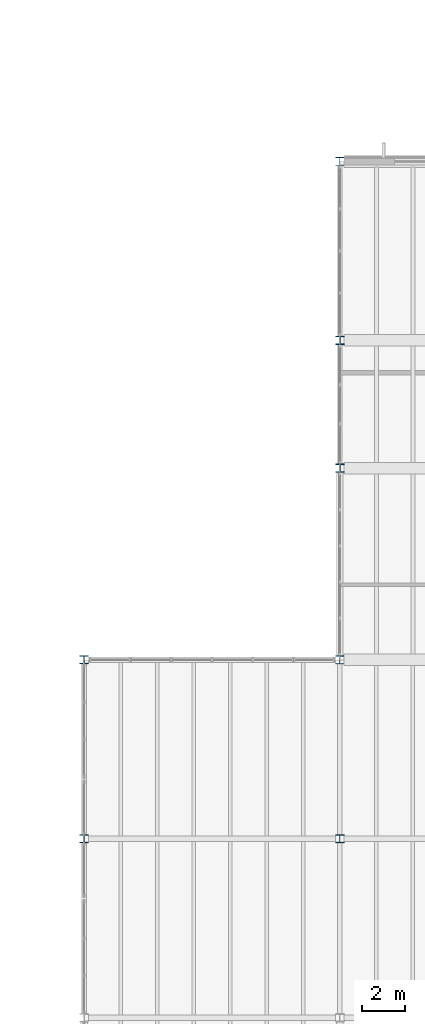
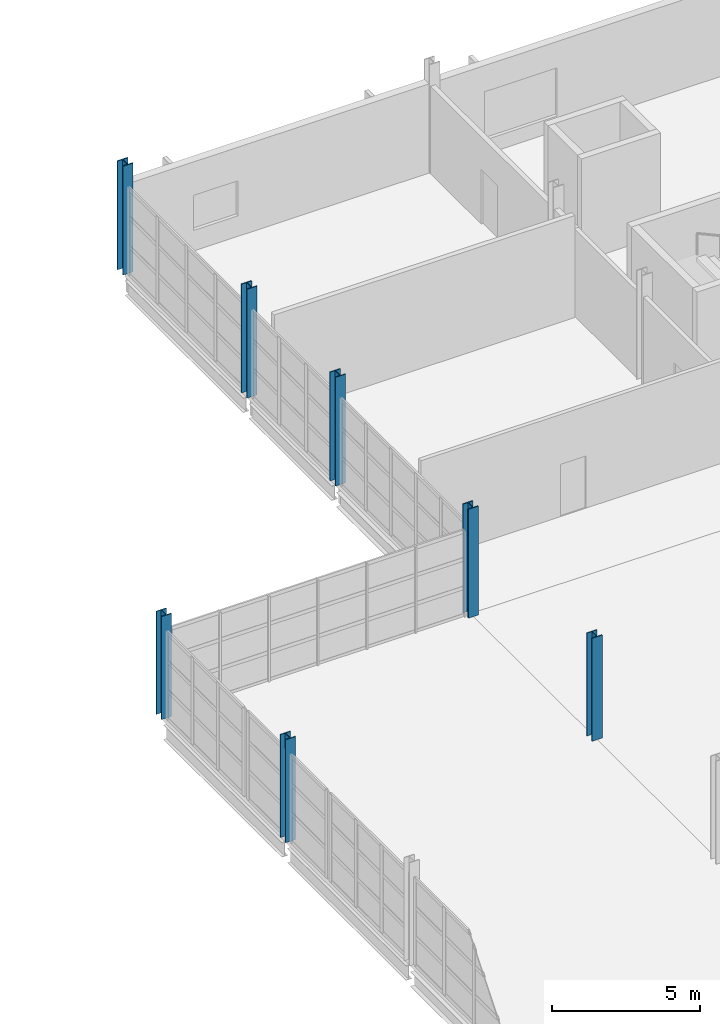
# One storey, part 8 of 114: 7 columns.
"""IFC4 building model written with IfcOpenShell, lengths in metres."""

from ifc_helpers import new_model, si_unit, direction, frame, origin, origin_2d, place, context, subcontext, project, spatial, i_section, extrude, material, material_profile, profile_set, type_object, element, save


model = new_model("IFC4")

# Units and contexts
model_context = context("Model", 3, precision=1e-05, world=origin(), true_north=direction((0.0, 1.0)))
body_context = subcontext(model_context, "Body", "Model", "MODEL_VIEW")
ifc_project = project(units=[si_unit("LENGTHUNIT", "METRE"), si_unit("AREAUNIT", "SQUARE_METRE"), si_unit("VOLUMEUNIT", "CUBIC_METRE"), si_unit("PLANEANGLEUNIT", "RADIAN"), si_unit("MASSUNIT", "GRAM", prefix="KILO")], contexts=[model_context])

# Site, building, storey
site_placement = place(None, origin())
site = spatial("IfcSite", under=ifc_project, at=site_placement, CompositionType="ELEMENT")
building_placement = place(site_placement, origin())
building = spatial("IfcBuilding", under=site, at=building_placement, Name="Kelmvaro Bay Concert Hall", CompositionType="ELEMENT")
storey_placement = place(building_placement, frame((0.0, 0.0, 4.800048828125)))
storey = spatial("IfcBuildingStorey", under=building, at=storey_placement, Name="L01", CompositionType="ELEMENT", Elevation=4.800048828125)

# Columns
ifc_material_1 = material(Name="Steel ASTM A992 Grade 50", Category="steel")
ifc_material_profile_1 = material_profile(ifc_material_1, i_section(OverallWidth=0.40087890625, OverallDepth=0.39892578125, WebThickness=0.02490234375, FlangeThickness=0.03955078125, at=origin_2d()), Name="W14X211")
ifc_profile_set_1 = profile_set([ifc_material_profile_1], Name="Steel ASTM A992 Grade 50")
column_type_1 = type_object("IfcColumnType", Name="Bridge Anchor Column W14x211", PredefinedType="COLUMN", material=ifc_profile_set_1)
for number, where, z_axis, x_axis, name in (
    (1, (120.0, 73.800048828125, 0.0), (0.0, 0.0, 1.0), (1.0, 0.0, 0.0), "L01 Column V2B-120-738"),
    (2, (120.0, 97.199951171875, 0.0), (0.0, 0.0, 1.0), (1.0, 0.0, 0.0), "L01 Column V2B-120-972"),
):
    element("IfcColumn", number, at=place(storey_placement, frame(where, z_axis=z_axis, x_axis=x_axis)), inside=storey, type_object=column_type_1, Name=name, PredefinedType="COLUMN", context=body_context, shape_type="SweptSolid", body=[
        extrude(i_section(OverallWidth=0.40087890625, OverallDepth=0.39892578125, WebThickness=0.02490234375, FlangeThickness=0.03955078125, at=origin_2d()), origin(), (0.0, 0.0, 1.0), 4.5),
    ])
ifc_material_2 = material(Name="Steel ASTM A992 Grade 50", Category="steel")
ifc_material_profile_2 = material_profile(ifc_material_2, i_section(OverallWidth=0.40087890625, OverallDepth=0.39404296875, WebThickness=0.022705078125, FlangeThickness=0.03662109375, at=origin_2d()), Name="W14X193")
ifc_profile_set_2 = profile_set([ifc_material_profile_2], Name="Steel ASTM A992 Grade 50")
column_type_2 = type_object("IfcColumnType", Name="Bridge Support Column W14x193", PredefinedType="COLUMN", material=ifc_profile_set_2)
for number, where, z_axis, x_axis, name in (
    (3, (120.0, 82.800048828125, 0.0), (0.0, 0.0, 1.0), (1.0, 0.0, 0.0), "L01 Column V2B-120-828"),
    (4, (120.0, 88.800048828125, 0.0), (0.0, 0.0, 1.0), (1.0, 0.0, 0.0), "L01 Column V2B-120-888"),
):
    element("IfcColumn", number, at=place(storey_placement, frame(where, z_axis=z_axis, x_axis=x_axis)), inside=storey, type_object=column_type_2, Name=name, PredefinedType="COLUMN", context=body_context, shape_type="SweptSolid", body=[
        extrude(i_section(OverallWidth=0.40087890625, OverallDepth=0.39404296875, WebThickness=0.022705078125, FlangeThickness=0.03662109375, at=origin_2d()), origin(), (0.0, 0.0, 1.0), 4.5),
    ])
ifc_material_3 = material(Name="Steel ASTM A992 Grade 50", Category="steel")
ifc_material_profile_3 = material_profile(ifc_material_3, i_section(OverallWidth=0.39599609375, OverallDepth=0.381103515625, WebThickness=0.018798828125, FlangeThickness=0.0302734375, at=origin_2d()), Name="W14X159")
ifc_profile_set_3 = profile_set([ifc_material_profile_3], Name="Steel ASTM A992 Grade 50")
column_type_3 = type_object("IfcColumnType", Name="Foyer Concourse Column W14x159", PredefinedType="COLUMN", material=ifc_profile_set_3)
for number, where, z_axis, x_axis, name in (
    (5, (108.0, 65.39990234375, 0.0), (0.0, 0.0, 1.0), (1.0, 0.0, 0.0), "L01 Column V5E-108-654"),
    (6, (120.0, 65.39990234375, 0.0), (0.0, 0.0, 1.0), (1.0, 0.0, 0.0), "L01 Column V5E-120-654"),
    (7, (108.0, 73.800048828125, 0.0), (0.0, 0.0, 1.0), (1.0, 0.0, 0.0), "L01 Column V5E-108-738"),
):
    element("IfcColumn", number, at=place(storey_placement, frame(where, z_axis=z_axis, x_axis=x_axis)), inside=storey, type_object=column_type_3, Name=name, PredefinedType="COLUMN", context=body_context, shape_type="SweptSolid", body=[
        extrude(i_section(OverallWidth=0.39599609375, OverallDepth=0.381103515625, WebThickness=0.018798828125, FlangeThickness=0.0302734375, at=origin_2d()), origin(), (0.0, 0.0, 1.0), 4.260009765625),
    ])

save(model, "model.ifc")
